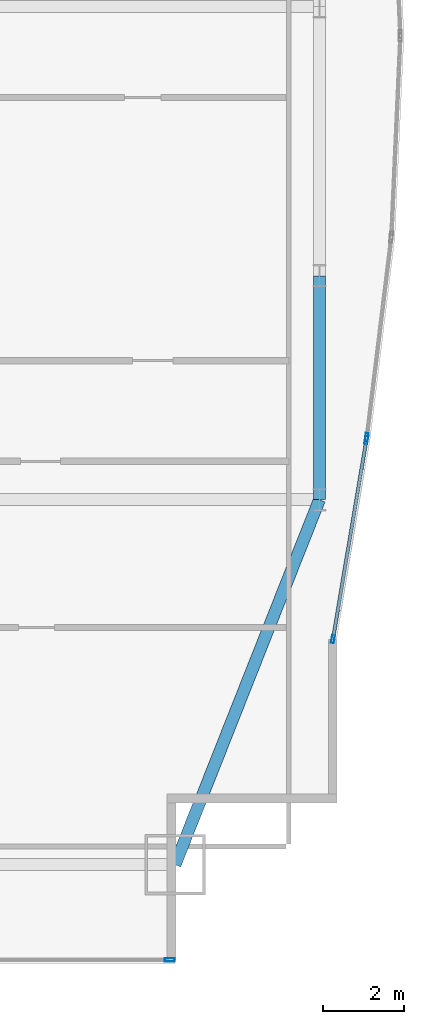
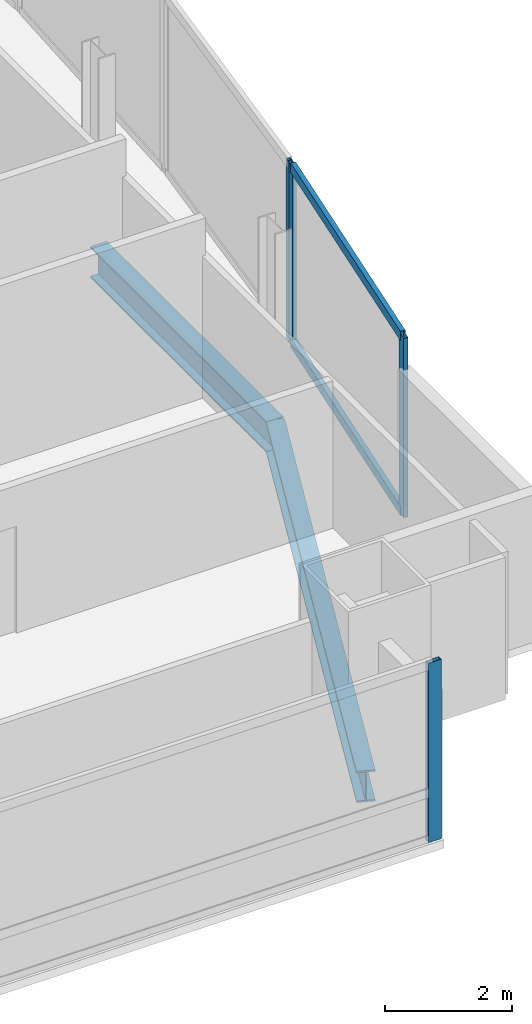
# One storey, part 21 of 31: 6 members, 2 beams, 3 elements without a shape of their own.
"""IFC4 building model written with IfcOpenShell, lengths in metres."""

import ifcopenshell
import ifcopenshell.guid

model = None  # the IFC model being written
_history = None  # IfcOwnerHistory: only IFC2X3 demands one
_inside = {}  # id of a spatial element -> (the spatial element, [elements in it])
_under = {}  # id of a project, library or spatial element -> (it, [spatial elements below it])
_declared = {}  # id of a project -> (the project, [libraries it declares])
_typed = {}  # id of a type object -> (the type object, [elements of that type])
_made_of = {}  # id of a material, layer set ... -> (it, [elements and type objects made of it])


def new_model(schema):
    """Start an empty IFC model of exactly this schema.

    Asked for "IFC4X3", IfcOpenShell would pick the latest addendum, in which some entities
    have other attributes; the version numbers below select the first issue.
    IFC2X3 requires an IfcOwnerHistory on every rooted entity: one is made here for all.
    """
    global model, _history
    if schema == "IFC4X3":
        model = ifcopenshell.file(schema_version=(4, 3, 0, 0))
    else:
        model = ifcopenshell.file(schema=schema)
    _inside.clear()
    _under.clear()
    _declared.clear()
    _typed.clear()
    _made_of.clear()
    _history = None
    if model.schema == "IFC2X3":
        org = make("IfcOrganization", Name="unknown")
        user = make(
            "IfcPersonAndOrganization",
            ThePerson=make("IfcPerson", FamilyName="unknown"),
            TheOrganization=org,
        )
        app = make(
            "IfcApplication",
            ApplicationDeveloper=org,
            Version="unknown",
            ApplicationFullName="unknown",
            ApplicationIdentifier="unknown",
        )
        _history = make(
            "IfcOwnerHistory",
            OwningUser=user,
            OwningApplication=app,
            ChangeAction="ADDED",
            CreationDate=0,
        )
    return model


def make(cls, **values):
    """One entity of the class cls with the attributes given. An attribute that is None is left unset."""
    return model.create_entity(
        cls, **{name: value for name, value in values.items() if value is not None}
    )


def rooted(cls, **values):
    """An entity with a GlobalId (a new one), such as an element, a storey or a relation."""
    return make(cls, GlobalId=ifcopenshell.guid.new(), OwnerHistory=_history, **values)


def si_unit(unit_type, name, prefix=None):
    """IfcSIUnit, for example si_unit("LENGTHUNIT", "METRE", prefix="MILLI")."""
    return make("IfcSIUnit", UnitType=unit_type, Prefix=prefix, Name=name)


def assignment(units):
    """IfcUnitAssignment: the units of a project."""
    return None if units is None else make("IfcUnitAssignment", Units=units)


def point(xyz):
    """IfcCartesianPoint."""
    return None if xyz is None else make("IfcCartesianPoint", Coordinates=xyz)


def direction(xyz):
    """IfcDirection."""
    return None if xyz is None else make("IfcDirection", DirectionRatios=xyz)


def frame(location, z_axis=None, x_axis=None):
    """IfcAxis2Placement3D, a coordinate frame: its origin and axes. An axis left out is left unset."""
    return make(
        "IfcAxis2Placement3D",
        Location=point(location),
        Axis=direction(z_axis),
        RefDirection=direction(x_axis),
    )


def frame_2d(location, x_axis=None):
    """IfcAxis2Placement2D, a coordinate frame in the plane: its origin and x axis."""
    return make(
        "IfcAxis2Placement2D", Location=point(location), RefDirection=direction(x_axis)
    )


def origin():
    """The frame at (0, 0, 0) with its axes left unset."""
    return frame((0.0, 0.0, 0.0))


def origin_2d():
    """The frame at (0, 0) in the plane with its x axis left unset."""
    return frame_2d((0.0, 0.0))


def place(relative_to, where):
    """IfcLocalPlacement: puts the frame where relative to a parent placement (None: the world)."""
    return make(
        "IfcLocalPlacement", PlacementRelTo=relative_to, RelativePlacement=where
    )


def context(
    kind, dimensions, precision=None, world=None, true_north=None, identifier=None
):
    """IfcGeometricRepresentationContext, for example the 3D "Model" context."""
    return make(
        "IfcGeometricRepresentationContext",
        ContextIdentifier=identifier,
        ContextType=kind,
        CoordinateSpaceDimension=dimensions,
        Precision=precision,
        WorldCoordinateSystem=world,
        TrueNorth=true_north,
    )


def subcontext(parent, identifier, kind, view, scale=None):
    """IfcGeometricRepresentationSubContext, for example "Body" below "Model"."""
    return make(
        "IfcGeometricRepresentationSubContext",
        ContextIdentifier=identifier,
        ContextType=kind,
        ParentContext=parent,
        TargetScale=scale,
        TargetView=view,
    )


def project(units=None, contexts=None):
    """IfcProject with its units and contexts."""
    return rooted(
        "IfcProject",
        Name="project",
        RepresentationContexts=contexts,
        UnitsInContext=assignment(units),
    )


def spatial(cls, under=None, at=None, **own):
    """A site, building, storey or space (cls), placed at a placement, below another one or the project."""
    s = rooted(cls, ObjectPlacement=at, **own)
    if under is not None:
        _under.setdefault(under.id(), (under, []))[1].append(s)
    return s


def profile(cls, at=None, kind="AREA", **sizes):
    """A parametric profile (cls). Its sizes go by their IFC names, for example OverallWidth=200.0."""
    return make(cls, ProfileType=kind, Position=at, **sizes)


def hollow_rectangle(**sizes):
    """IfcRectangleHollowProfileDef."""
    return profile("IfcRectangleHollowProfileDef", **sizes)


def i_section(**sizes):
    """IfcIShapeProfileDef."""
    return profile("IfcIShapeProfileDef", **sizes)


def extrude(swept, where, along, depth):
    """IfcExtrudedAreaSolid: the profile swept, set in the frame where, extruded along a direction by depth."""
    return make(
        "IfcExtrudedAreaSolid",
        SweptArea=swept,
        Position=where,
        ExtrudedDirection=direction(along),
        Depth=depth,
    )


def shape(context_of_items, identifier, shape_type, items):
    """IfcShapeRepresentation: the items that make up one representation, for example the "Body"."""
    return make(
        "IfcShapeRepresentation",
        ContextOfItems=context_of_items,
        RepresentationIdentifier=identifier,
        RepresentationType=shape_type,
        Items=items,
    )


def material(Name=None, Category=None):
    """IfcMaterial."""
    return make("IfcMaterial", Name=Name, Category=Category)


def material_profile(
    of_material, cross_section, Name=None, Category=None, Priority=None
):
    """IfcMaterialProfile: a cross section and its material."""
    return make(
        "IfcMaterialProfile",
        Name=Name,
        Material=of_material,
        Profile=cross_section,
        Priority=Priority,
        Category=Category,
    )


def profile_set(profiles, Name=None, composite=None):
    """IfcMaterialProfileSet."""
    return make(
        "IfcMaterialProfileSet",
        Name=Name,
        MaterialProfiles=profiles,
        CompositeProfile=composite,
    )


def made_of(thing, what):
    """Note that an element or type object is made of a material, layer set ...; save() writes the relation."""
    if what is not None:
        _made_of.setdefault(what.id(), (what, []))[1].append(thing)
    return thing


def type_object(cls, material=None, **own):
    """A type object (cls), such as IfcWallType, which elements share."""
    return made_of(rooted(cls, **own), material)


def element(
    cls,
    number,
    at=None,
    inside=None,
    cuts=None,
    type_object=None,
    material=None,
    context=None,
    identifier="Body",
    shape_type=None,
    held_by="IfcProductDefinitionShape",
    body=None,
    shapes=None,
    **own,
):
    """One element of the class cls, such as IfcWall. Its Tag is "e" and its number.

    at: its placement. inside: the storey or other place that contains it. cuts: it is an
    opening in that element (IfcRelVoidsElement). A single representation is given by context,
    identifier, shape_type and body (its items); several are given by shapes. held_by: the class
    of the entity that holds the representations. save() writes the other relations.
    """
    e = rooted(cls, Tag="e%d" % number, ObjectPlacement=at, **own)
    if body is not None:
        shapes = [shape(context, identifier, shape_type, body)]
    if shapes is not None:
        e.Representation = make(held_by, Representations=shapes)
    if inside is not None:
        _inside.setdefault(inside.id(), (inside, []))[1].append(e)
    if cuts is not None:
        rooted(
            "IfcRelVoidsElement", RelatingBuildingElement=cuts, RelatedOpeningElement=e
        )
    if type_object is not None:
        _typed.setdefault(type_object.id(), (type_object, []))[1].append(e)
    return made_of(e, material)


def aggregate(whole, parts):
    """IfcRelAggregates: a whole, such as a stair, and the parts it consists of."""
    return rooted("IfcRelAggregates", RelatingObject=whole, RelatedObjects=parts)


def save(model, path):
    """Write the relations noted so far, then the file.

    IfcRelAggregates (storeys below a building ...), IfcRelContainedInSpatialStructure (elements
    in a storey), IfcRelDefinesByType, IfcRelAssociatesMaterial and IfcRelDeclares: one each for
    every whole, place, type object, material and project.
    """
    for whole, parts in _under.values():
        aggregate(whole, parts)
    for where, things in _inside.values():
        rooted(
            "IfcRelContainedInSpatialStructure",
            RelatedElements=things,
            RelatingStructure=where,
        )
    for kind, things in _typed.values():
        rooted("IfcRelDefinesByType", RelatedObjects=things, RelatingType=kind)
    for what, things in _made_of.values():
        rooted("IfcRelAssociatesMaterial", RelatedObjects=things, RelatingMaterial=what)
    for by, libraries in _declared.values():
        rooted("IfcRelDeclares", RelatingContext=by, RelatedDefinitions=libraries)
    model.write(path)


model = new_model("IFC4")

# Units and contexts
model_context = context("Model", 3, precision=1e-05, world=origin(), true_north=direction((0.0, 1.0)))
body_context = subcontext(model_context, "Body", "Model", "MODEL_VIEW")
ifc_project = project(units=[si_unit("LENGTHUNIT", "METRE"), si_unit("AREAUNIT", "SQUARE_METRE"), si_unit("VOLUMEUNIT", "CUBIC_METRE"), si_unit("PLANEANGLEUNIT", "RADIAN"), si_unit("MASSUNIT", "GRAM", prefix="KILO")], contexts=[model_context])

# Site, building, storey
site_placement = place(None, origin())
site = spatial("IfcSite", under=ifc_project, at=site_placement, CompositionType="ELEMENT")
building_placement = place(site_placement, origin())
building = spatial("IfcBuilding", under=site, at=building_placement, Name="Khoronbel Lancet Exchange", CompositionType="ELEMENT")
storey_placement = place(building_placement, frame((0.0, 0.0, 121.800048828125)))
storey = spatial("IfcBuildingStorey", under=building, at=storey_placement, Name="L29", CompositionType="ELEMENT", Elevation=121.800048828125)

# Beams
ifc_material_1 = material(Name="Steel S355", Category="steel")
ifc_material_profile_1 = material_profile(ifc_material_1, i_section(OverallWidth=0.300048828125, OverallDepth=0.60009765625, WebThickness=0.015380859375, FlangeThickness=0.030029296875, at=origin_2d()), Name="HEB 600")
ifc_profile_set_1 = profile_set([ifc_material_profile_1], Name="Steel S355")
beam_type = type_object("IfcBeamType", Name="BM-BSP2", PredefinedType="SPANDREL", material=ifc_profile_set_1)
beam_1_placement = place(storey_placement, frame((66.050048828125, 10.14990234375, -0.4599609375), z_axis=(0.367828403855, 0.929893684954, 0.0), x_axis=(-0.929893684954, 0.367828403855, 0.0)))
element("IfcBeam", 1, at=beam_1_placement, inside=storey, type_object=beam_type, Name="Level L29 perimeter spandrel beam SP10", PredefinedType="SPANDREL", context=body_context, shape_type="SweptSolid", body=[
    extrude(i_section(OverallWidth=0.300048828125, OverallDepth=0.60009765625, WebThickness=0.015380859375, FlangeThickness=0.030029296875, at=origin_2d()), origin(), (0.0, 0.0, 1.0), 9.732421875),
])
beam_2_placement = place(storey_placement, frame((69.6298828125, 19.199951171875, -0.4599609375), z_axis=(0.0, 1.0, 0.0), x_axis=(-1.0, 0.0, 0.0)))
element("IfcBeam", 2, at=beam_2_placement, inside=storey, type_object=beam_type, Name="Level L29 perimeter spandrel beam SP11", PredefinedType="SPANDREL", context=body_context, shape_type="SweptSolid", body=[
    extrude(i_section(OverallWidth=0.300048828125, OverallDepth=0.60009765625, WebThickness=0.015380859375, FlangeThickness=0.030029296875, at=origin_2d()), origin(), (0.0, 0.0, 1.0), 5.550048828125),
])

# Curtain wall, member
ifc_material_2 = material(Name="Low-E Solar Control Insulating Glass", Category="glass")
curtain_wall_type_1 = type_object("IfcCurtainWallType", Name="CW-2", PredefinedType="NOTDEFINED", material=ifc_material_2)
curtain_wall_1_placement = place(storey_placement, origin())
curtain_wall_1 = element("IfcCurtainWall", 3, at=curtain_wall_1_placement, inside=storey, type_object=curtain_wall_type_1, Name="Unitised curtain wall CW-L29-SEV", PredefinedType="NOTDEFINED")
ifc_material_3 = material(Name="Bronze-Anodised Aluminium 6063-T6", Category="aluminium")
ifc_material_profile_2 = material_profile(ifc_material_3, hollow_rectangle(XDim=0.0849609375, YDim=0.239990234375, WallThickness=0.006103515625, at=origin_2d()), Name="ALU MULLION 85x240")
ifc_profile_set_2 = profile_set([ifc_material_profile_2], Name="Bronze-Anodised Aluminium 6063-T6")
member_type_1 = type_object("IfcMemberType", Name="MEM-CWM1", PredefinedType="MULLION", material=ifc_profile_set_2)
member_1_placement = place(storey_placement, frame((65.91748046875, 7.7900390625, 0.0), z_axis=(0.0, 0.0, 1.0), x_axis=(0.0, 1.0, 0.0)))
member_1 = element("IfcMember", 4, at=member_1_placement, type_object=member_type_1, Name="CW2 mullion 2", PredefinedType="MULLION", context=body_context, shape_type="SweptSolid", body=[
    extrude(hollow_rectangle(XDim=0.0849609375, YDim=0.239990234375, WallThickness=0.006103515625, at=origin_2d()), origin(), (0.0, 0.0, 1.0), 3.43994140625),
])
aggregate(curtain_wall_1, [member_1])

curtain_wall_type_2 = type_object("IfcCurtainWallType", Name="CW-4", PredefinedType="NOTDEFINED", material=ifc_material_2)
curtain_wall_2_placement = place(storey_placement, origin())
curtain_wall_2 = element("IfcCurtainWall", 5, at=curtain_wall_2_placement, inside=storey, type_object=curtain_wall_type_2, Name="Unitised curtain wall CW-L29-E21", PredefinedType="NOTDEFINED")
ifc_material_profile_3 = material_profile(ifc_material_3, hollow_rectangle(XDim=0.074951171875, YDim=0.199951171875, WallThickness=0.0048828125, at=origin_2d()), Name="ALU MULLION 75x200")
ifc_profile_set_3 = profile_set([ifc_material_profile_3], Name="Bronze-Anodised Aluminium 6063-T6")
member_type_2 = type_object("IfcMemberType", Name="MEM-CWM2", PredefinedType="MULLION", material=ifc_profile_set_3)
member_2_placement = place(storey_placement, frame((70.803466796875, 20.75, 0.0), z_axis=(0.0, 0.0, 1.0), x_axis=(0.992557199503, -0.121779332051, 0.0)))
member_2 = element("IfcMember", 6, at=member_2_placement, type_object=member_type_2, Name="CW4 mullion 2", PredefinedType="MULLION", context=body_context, shape_type="SweptSolid", body=[
    extrude(hollow_rectangle(XDim=0.074951171875, YDim=0.199951171875, WallThickness=0.0048828125, at=origin_2d()), origin(), (0.0, 0.0, 1.0), 3.43994140625),
])
aggregate(curtain_wall_2, [member_2])

# Curtain wall, members
curtain_wall_3_placement = place(storey_placement, origin())
curtain_wall_3 = element("IfcCurtainWall", 7, at=curtain_wall_3_placement, inside=storey, type_object=curtain_wall_type_2, Name="Unitised curtain wall CW-L29-E22", PredefinedType="NOTDEFINED")
member_3_placement = place(storey_placement, frame((70.792724609375, 20.676025390625, 0.0), z_axis=(0.0, 0.0, 1.0), x_axis=(0.986244409726, -0.165293570002, 0.0)))
member_3 = element("IfcMember", 8, at=member_3_placement, type_object=member_type_2, Name="CW4 mullion 1", PredefinedType="MULLION", context=body_context, shape_type="SweptSolid", body=[
    extrude(hollow_rectangle(XDim=0.074951171875, YDim=0.199951171875, WallThickness=0.0048828125, at=origin_2d()), origin(), (0.0, 0.0, 1.0), 3.43994140625),
])
member_4_placement = place(storey_placement, frame((69.96630859375, 15.744384765625, 0.0), z_axis=(0.0, 0.0, 1.0), x_axis=(0.986244409726, -0.165293570002, 0.0)))
member_4 = element("IfcMember", 9, at=member_4_placement, type_object=member_type_2, Name="CW4 mullion 2", PredefinedType="MULLION", context=body_context, shape_type="SweptSolid", body=[
    extrude(hollow_rectangle(XDim=0.074951171875, YDim=0.199951171875, WallThickness=0.0048828125, at=origin_2d()), origin(), (0.0, 0.0, 1.0), 3.43994140625),
])
ifc_material_profile_4 = material_profile(ifc_material_3, hollow_rectangle(XDim=0.0849609375, YDim=0.179931640625, WallThickness=0.0048828125, at=origin_2d()), Name="ALU TRANSOM 85x180")
ifc_profile_set_4 = profile_set([ifc_material_profile_4], Name="Bronze-Anodised Aluminium 6063-T6")
member_type_3 = type_object("IfcMemberType", Name="MEM-CWT1", PredefinedType="USERDEFINED", material=ifc_profile_set_4)
member_5_placement = place(storey_placement, frame((70.78662109375, 20.638916015625, 0.04248046875), z_axis=(-0.165315287827, -0.986240769595, 0.0), x_axis=(0.986240769595, -0.165315287827, 0.0)))
member_5 = element("IfcMember", 10, at=member_5_placement, type_object=member_type_3, Name="CW4 transom 1.1", ObjectType="TRANSOM", PredefinedType="USERDEFINED", context=body_context, shape_type="SweptSolid", body=[
    extrude(hollow_rectangle(XDim=0.0849609375, YDim=0.179931640625, WallThickness=0.0048828125, at=origin_2d()), origin(), (0.0, 0.0, 1.0), 4.92529296875),
])
member_6_placement = place(storey_placement, frame((70.78662109375, 20.638916015625, 3.3974609375), z_axis=(-0.165315287827, -0.986240769595, 0.0), x_axis=(0.986240769595, -0.165315287827, 0.0)))
member_6 = element("IfcMember", 11, at=member_6_placement, type_object=member_type_3, Name="CW4 transom 1.2", ObjectType="TRANSOM", PredefinedType="USERDEFINED", context=body_context, shape_type="SweptSolid", body=[
    extrude(hollow_rectangle(XDim=0.0849609375, YDim=0.179931640625, WallThickness=0.0048828125, at=origin_2d()), origin(), (0.0, 0.0, 1.0), 4.92529296875),
])
aggregate(curtain_wall_3, [member_3, member_4, member_5, member_6])

save(model, "model.ifc")
